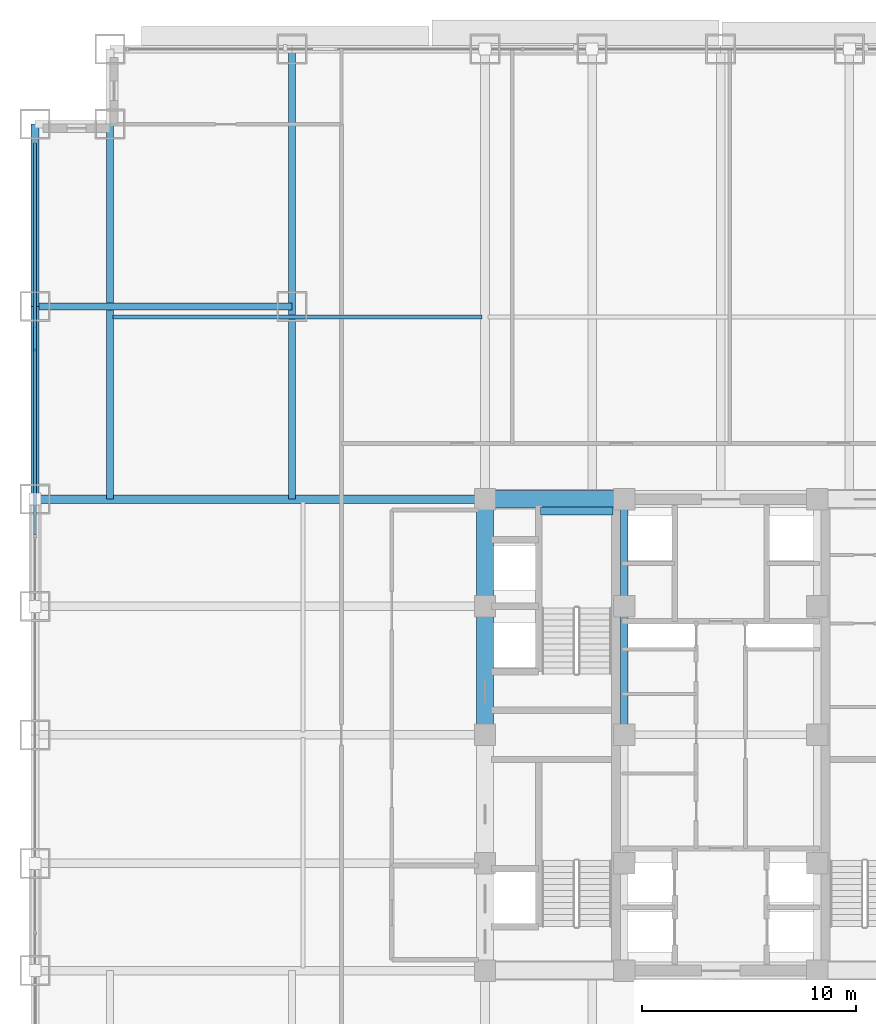
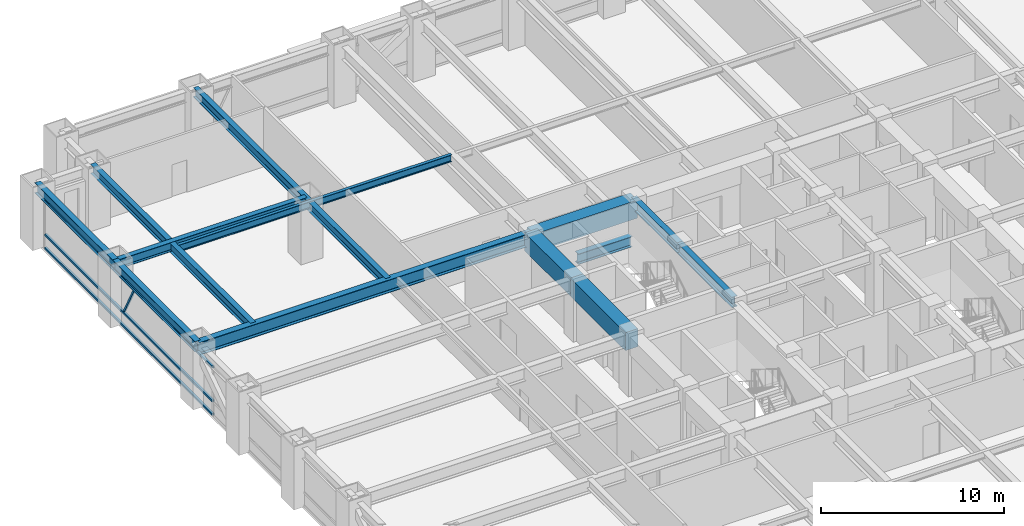
# One storey, part 13 of 31: 13 beams, 4 members, 1 element without a shape of its own.
"""IFC4 building model written with IfcOpenShell, lengths in metres."""

from ifc_helpers import new_model, si_unit, direction, frame, origin, origin_2d, place, context, subcontext, project, spatial, rectangle, hollow_rectangle, i_section, extrude, source, transform, mapped, material, material_profile, profile_set, type_object, element, aggregate, save


model = new_model("IFC4")

# Units and contexts
model_context = context("Model", 3, precision=1e-05, world=origin(), true_north=direction((0.0, 1.0)))
body_context = subcontext(model_context, "Body", "Model", "MODEL_VIEW")
ifc_project = project(units=[si_unit("LENGTHUNIT", "METRE"), si_unit("AREAUNIT", "SQUARE_METRE"), si_unit("VOLUMEUNIT", "CUBIC_METRE"), si_unit("PLANEANGLEUNIT", "RADIAN"), si_unit("MASSUNIT", "GRAM", prefix="KILO")], contexts=[model_context])

# Site, building, storey
site_placement = place(None, origin())
site = spatial("IfcSite", under=ifc_project, at=site_placement, CompositionType="ELEMENT")
building_placement = place(site_placement, origin())
building = spatial("IfcBuilding", under=site, at=building_placement, Name="Khorayat Bourse Tower", CompositionType="ELEMENT")
storey_placement = place(building_placement, frame((0.0, 0.0, 41.0)))
storey = spatial("IfcBuildingStorey", under=building, at=storey_placement, Name="L08", CompositionType="ELEMENT", Elevation=41.0)

# Beams
ifc_material_1 = material(Name="Concrete C72/90", Category="concrete")
ifc_material_profile_1 = material_profile(ifc_material_1, rectangle(XDim=0.800048828125, YDim=1.199951171875, at=origin_2d()), Name="RC 800x1200")
ifc_profile_set_1 = profile_set([ifc_material_profile_1], Name="Concrete C72/90")
beam_type_1 = type_object("IfcBeamType", Name="BM-COUP-1200", PredefinedType="BEAM", material=ifc_profile_set_1)
shared_shape_1 = source(origin(), body_context, "Body", "SweptSolid", [
    extrude(rectangle(XDim=0.800048828125, YDim=1.199951171875, at=origin_2d()), origin(), (0.0, 0.0, 1.0), 5.0),
])
beam_1_placement = place(storey_placement, frame((-11.0, 6.0, 3.340087890625), z_axis=(0.0, 1.0, 0.0), x_axis=(-1.0, 0.0, 0.0)))
element("IfcBeam", 1, at=beam_1_placement, inside=storey, type_object=beam_type_1, Name="L08 BM-COUP-1200 BM-L08-CRX-04", PredefinedType="BEAM", context=body_context, shape_type="MappedRepresentation", body=[
    mapped(shared_shape_1, transform((0.0, 0.0, 0.0), scale=1.0)),
])
shared_shape_2 = source(origin(), body_context, "Body", "SweptSolid", [
    extrude(rectangle(XDim=0.800048828125, YDim=1.199951171875, at=origin_2d()), origin(), (0.0, 0.0, 1.0), 6.0),
])
beam_2_placement = place(storey_placement, frame((-11.0, 0.0, 3.340087890625), z_axis=(0.0, 1.0, 0.0), x_axis=(-1.0, 0.0, 0.0)))
element("IfcBeam", 2, at=beam_2_placement, inside=storey, type_object=beam_type_1, Name="L08 BM-COUP-1200 BM-L08-CRX-03", PredefinedType="BEAM", context=body_context, shape_type="MappedRepresentation", body=[
    mapped(shared_shape_2, transform((0.0, 0.0, 0.0), scale=1.0)),
])
ifc_material_2 = material(Name="Steel ASTM A992 Grade 50", Category="steel")
ifc_material_profile_2 = material_profile(ifc_material_2, i_section(OverallWidth=0.35498046875, OverallDepth=0.695068359375, WebThickness=0.015380859375, FlangeThickness=0.02490234375, FilletRadius=0.01806640625, at=origin_2d()), Name="W690X217")
ifc_profile_set_2 = profile_set([ifc_material_profile_2], Name="Steel ASTM A992 Grade 50")
beam_type_2 = type_object("IfcBeamType", Name="BM-GIRD-690", PredefinedType="BEAM", material=ifc_profile_set_2)
shared_shape_3 = source(origin(), body_context, "Body", "SweptSolid", [
    extrude(i_section(OverallWidth=0.35498046875, OverallDepth=0.695068359375, WebThickness=0.015380859375, FlangeThickness=0.02490234375, FilletRadius=0.01806640625, at=origin_2d()), origin(), (0.0, 0.0, 1.0), 5.0),
])
beam_3_placement = place(storey_placement, frame((-4.5, 6.0, 3.592529296875), z_axis=(0.0, 1.0, 0.0), x_axis=(-1.0, 0.0, 0.0)))
element("IfcBeam", 3, at=beam_3_placement, inside=storey, type_object=beam_type_2, Name="L08 BM-GIRD-690 BM-L08-CRX-08", PredefinedType="BEAM", context=body_context, shape_type="MappedRepresentation", body=[
    mapped(shared_shape_3, transform((0.0, 0.0, 0.0), scale=1.0)),
])
shared_shape_4 = source(origin(), body_context, "Body", "SweptSolid", [
    extrude(i_section(OverallWidth=0.35498046875, OverallDepth=0.695068359375, WebThickness=0.015380859375, FlangeThickness=0.02490234375, FilletRadius=0.01806640625, at=origin_2d()), origin(), (0.0, 0.0, 1.0), 6.0),
])
beam_4_placement = place(storey_placement, frame((-4.5, 0.0, 3.592529296875), z_axis=(0.0, 1.0, 0.0), x_axis=(-1.0, 0.0, 0.0)))
element("IfcBeam", 4, at=beam_4_placement, inside=storey, type_object=beam_type_2, Name="L08 BM-GIRD-690 BM-L08-CRX-07", PredefinedType="BEAM", context=body_context, shape_type="MappedRepresentation", body=[
    mapped(shared_shape_4, transform((0.0, 0.0, 0.0), scale=1.0)),
])
shared_shape_5 = source(origin(), body_context, "Body", "SweptSolid", [
    extrude(rectangle(XDim=0.800048828125, YDim=1.199951171875, at=origin_2d()), origin(), (0.0, 0.0, 1.0), 6.5),
])
beam_5_placement = place(storey_placement, frame((-11.0, 11.0, 3.340087890625), z_axis=(1.0, 0.0, 0.0), x_axis=(0.0, 1.0, 0.0)))
element("IfcBeam", 5, at=beam_5_placement, inside=storey, type_object=beam_type_1, Name="L08 BM-COUP-1200 BM-L08-CRY-20", PredefinedType="BEAM", context=body_context, shape_type="MappedRepresentation", body=[
    mapped(shared_shape_5, transform((0.0, 0.0, 0.0), scale=1.0)),
])
shared_shape_6 = source(origin(), body_context, "Body", "SweptSolid", [
    extrude(i_section(OverallWidth=0.35498046875, OverallDepth=0.695068359375, WebThickness=0.015380859375, FlangeThickness=0.02490234375, FilletRadius=0.01806640625, at=origin_2d()), origin(), (0.0, 0.0, 1.0), 3.39990234375),
])
beam_6_placement = place(storey_placement, frame((-8.419921875, 10.449951171875, 1.552490234375), z_axis=(1.0, 0.0, 0.0), x_axis=(0.0, 1.0, 0.0)))
element("IfcBeam", 6, at=beam_6_placement, inside=storey, type_object=beam_type_2, Name="L08 BM-GIRD-690 BM-L08-ST2L", PredefinedType="BEAM", context=body_context, shape_type="MappedRepresentation", body=[
    mapped(shared_shape_6, transform((0.0, 0.0, 0.0), scale=1.0)),
])
ifc_material_profile_3 = material_profile(ifc_material_2, i_section(OverallWidth=0.35498046875, OverallDepth=0.695068359375, WebThickness=0.015380859375, FlangeThickness=0.02490234375, FilletRadius=0.01806640625, at=origin_2d()), Name="W690X217")
ifc_profile_set_3 = profile_set([ifc_material_profile_3], Name="Steel ASTM A992 Grade 50")
beam_type_3 = type_object("IfcBeamType", Name="BM-SPAN-690", PredefinedType="SPANDREL", material=ifc_profile_set_3)
shared_shape_7 = source(origin(), body_context, "Body", "SweptSolid", [
    extrude(i_section(OverallWidth=0.35498046875, OverallDepth=0.695068359375, WebThickness=0.015380859375, FlangeThickness=0.02490234375, FilletRadius=0.01806640625, at=origin_2d()), origin(), (0.0, 0.0, 1.0), 8.5),
])
beam_7_placement = place(storey_placement, frame((-32.0, 20.0, 3.592529296875), z_axis=(0.0, 1.0, 0.0), x_axis=(-1.0, 0.0, 0.0)))
element("IfcBeam", 7, at=beam_7_placement, inside=storey, type_object=beam_type_3, Name="L08 BM-SPAN-690 BM-L08-SPN-054", PredefinedType="SPANDREL", context=body_context, shape_type="MappedRepresentation", body=[
    mapped(shared_shape_7, transform((0.0, 0.0, 0.0), scale=1.0)),
])
shared_shape_8 = source(origin(), body_context, "Body", "SweptSolid", [
    extrude(i_section(OverallWidth=0.35498046875, OverallDepth=0.695068359375, WebThickness=0.015380859375, FlangeThickness=0.02490234375, FilletRadius=0.01806640625, at=origin_2d()), origin(), (0.0, 0.0, 1.0), 9.0),
])
beam_8_placement = place(storey_placement, frame((-32.0, 11.0, 3.592529296875), z_axis=(0.0, 1.0, 0.0), x_axis=(-1.0, 0.0, 0.0)))
element("IfcBeam", 8, at=beam_8_placement, inside=storey, type_object=beam_type_3, Name="L08 BM-SPAN-690 BM-L08-SPN-055", PredefinedType="SPANDREL", context=body_context, shape_type="MappedRepresentation", body=[
    mapped(shared_shape_8, transform((0.0, 0.0, 0.0), scale=1.0)),
])
ifc_material_profile_4 = material_profile(ifc_material_2, i_section(OverallWidth=0.39990234375, OverallDepth=0.85498046875, WebThickness=0.018310546875, FlangeThickness=0.029296875, FilletRadius=0.02001953125, at=origin_2d()), Name="W840X299")
ifc_profile_set_4 = profile_set([ifc_material_profile_4], Name="Steel ASTM A992 Grade 50")
beam_type_4 = type_object("IfcBeamType", Name="BM-GIRD-840", PredefinedType="BEAM", material=ifc_profile_set_4)
shared_shape_9 = source(origin(), body_context, "Body", "SweptSolid", [
    extrude(i_section(OverallWidth=0.39990234375, OverallDepth=0.85498046875, WebThickness=0.018310546875, FlangeThickness=0.029296875, FilletRadius=0.02001953125, at=origin_2d()), origin(), (0.0, 0.0, 1.0), 21.0),
])
beam_9_placement = place(storey_placement, frame((-32.0, 11.0, 3.512451171875), z_axis=(1.0, 0.0, 0.0), x_axis=(0.0, 1.0, 0.0)))
element("IfcBeam", 9, at=beam_9_placement, inside=storey, type_object=beam_type_4, Name="L08 BM-GIRD-840 BM-L08-RADX-083", PredefinedType="BEAM", context=body_context, shape_type="MappedRepresentation", body=[
    mapped(shared_shape_9, transform((0.0, 0.0, 0.0), scale=1.0)),
])
ifc_material_profile_5 = material_profile(ifc_material_2, i_section(OverallWidth=0.324951171875, OverallDepth=0.615966796875, WebThickness=0.013916015625, FlangeThickness=0.021484375, FilletRadius=0.01611328125, at=origin_2d()), Name="W610X174")
ifc_profile_set_5 = profile_set([ifc_material_profile_5], Name="Steel ASTM A992 Grade 50")
beam_type_5 = type_object("IfcBeamType", Name="BM-GIRD-610", PredefinedType="BEAM", material=ifc_profile_set_5)
shared_shape_10 = source(origin(), body_context, "Body", "SweptSolid", [
    extrude(i_section(OverallWidth=0.324951171875, OverallDepth=0.615966796875, WebThickness=0.013916015625, FlangeThickness=0.021484375, FilletRadius=0.01611328125, at=origin_2d()), origin(), (0.0, 0.0, 1.0), 21.0),
])
beam_10_placement = place(storey_placement, frame((-20.0, 11.0, 3.632080078125), z_axis=(0.0, 1.0, 0.0), x_axis=(-1.0, 0.0, 0.0)))
element("IfcBeam", 10, at=beam_10_placement, inside=storey, type_object=beam_type_5, Name="L08 BM-GIRD-610 BM-L08-CNRY-085", PredefinedType="BEAM", context=body_context, shape_type="MappedRepresentation", body=[
    mapped(shared_shape_10, transform((0.0, 0.0, 0.0), scale=1.0)),
])
shared_shape_11 = source(origin(), body_context, "Body", "SweptSolid", [
    extrude(i_section(OverallWidth=0.324951171875, OverallDepth=0.615966796875, WebThickness=0.013916015625, FlangeThickness=0.021484375, FilletRadius=0.01611328125, at=origin_2d()), origin(), (0.0, 0.0, 1.0), 17.5),
])
beam_11_placement = place(storey_placement, frame((-28.5, 11.0, 3.632080078125), z_axis=(0.0, 1.0, 0.0), x_axis=(-1.0, 0.0, 0.0)))
element("IfcBeam", 11, at=beam_11_placement, inside=storey, type_object=beam_type_5, Name="L08 BM-GIRD-610 BM-L08-CNRY-089", PredefinedType="BEAM", context=body_context, shape_type="MappedRepresentation", body=[
    mapped(shared_shape_11, transform((0.0, 0.0, 0.0), scale=1.0)),
])
shared_shape_12 = source(origin(), body_context, "Body", "SweptSolid", [
    extrude(i_section(OverallWidth=0.324951171875, OverallDepth=0.615966796875, WebThickness=0.013916015625, FlangeThickness=0.021484375, FilletRadius=0.01611328125, at=origin_2d()), origin(), (0.0, 0.0, 1.0), 12.0),
])
beam_12_placement = place(storey_placement, frame((-32.0, 20.0, 3.632080078125), z_axis=(1.0, 0.0, 0.0), x_axis=(0.0, 1.0, 0.0)))
element("IfcBeam", 12, at=beam_12_placement, inside=storey, type_object=beam_type_5, Name="L08 BM-GIRD-610 BM-L08-CNRX-095", PredefinedType="BEAM", context=body_context, shape_type="MappedRepresentation", body=[
    mapped(shared_shape_12, transform((0.0, 0.0, 0.0), scale=1.0)),
])
ifc_material_profile_6 = material_profile(ifc_material_2, i_section(OverallWidth=0.194091796875, OverallDepth=0.468994140625, WebThickness=0.0126953125, FlangeThickness=0.0205078125, FilletRadius=0.012939453125, at=origin_2d()), Name="W460X106")
ifc_profile_set_6 = profile_set([ifc_material_profile_6], Name="Steel ASTM A992 Grade 50")
beam_type_6 = type_object("IfcBeamType", Name="BM-JOIST-460", PredefinedType="JOIST", material=ifc_profile_set_6)
shared_shape_13 = source(origin(), body_context, "Body", "SweptSolid", [
    extrude(i_section(OverallWidth=0.194091796875, OverallDepth=0.468994140625, WebThickness=0.0126953125, FlangeThickness=0.0205078125, FilletRadius=0.012939453125, at=origin_2d()), origin(), (0.0, 0.0, 1.0), 17.240234375),
])
beam_13_placement = place(storey_placement, frame((-28.3701171875, 19.5, 3.70556640625), z_axis=(1.0, 0.0, 0.0), x_axis=(0.0, 1.0, 0.0)))
element("IfcBeam", 13, at=beam_13_placement, inside=storey, type_object=beam_type_6, Name="L08 BM-JOIST-460 BM-L08-JSTX-099", PredefinedType="JOIST", context=body_context, shape_type="MappedRepresentation", body=[
    mapped(shared_shape_13, transform((0.0, 0.0, 0.0), scale=1.0)),
])

# Curtain wall, members
ifc_material_3 = material(Name="Aluminium EN AW-6063 T6", Category="aluminium")
curtain_wall_type = type_object("IfcCurtainWallType", Name="CW-SYS-02", PredefinedType="NOTDEFINED", material=ifc_material_3)
curtain_wall_placement = place(storey_placement, origin())
curtain_wall = element("IfcCurtainWall", 14, at=curtain_wall_placement, inside=storey, type_object=curtain_wall_type, Name="L08 Curtain Wall CW-L08-W1", PredefinedType="NOTDEFINED")
ifc_material_profile_7 = material_profile(ifc_material_3, hollow_rectangle(XDim=0.139892578125, YDim=0.139892578125, WallThickness=0.006103515625, at=origin_2d()), Name="ALU 140x140x6")
ifc_profile_set_7 = profile_set([ifc_material_profile_7], Name="Aluminium EN AW-6063 T6")
member_type_1 = type_object("IfcMemberType", Name="CWT-HORZ-140", PredefinedType="USERDEFINED", material=ifc_profile_set_7)
shared_shape_14 = source(origin(), body_context, "Body", "SweptSolid", [
    extrude(hollow_rectangle(XDim=0.139892578125, YDim=0.139892578125, WallThickness=0.006103515625, at=origin_2d()), origin(), (0.0, 0.0, 1.0), 18.2900390625),
])
member_1_placement = place(storey_placement, frame((-32.0, 9.320068359375, 0.070068359375), z_axis=(0.0, 1.0, 0.0), x_axis=(-1.0, 0.0, 0.0)))
member_1 = element("IfcMember", 15, at=member_1_placement, type_object=member_type_1, Name="CW-L08-W1 Horizontal Transom 3-1", ObjectType="TRANSOM", PredefinedType="USERDEFINED", context=body_context, shape_type="MappedRepresentation", body=[
    mapped(shared_shape_14, transform((0.0, 0.0, 0.0), scale=1.0)),
])
member_2_placement = place(storey_placement, frame((-32.0, 9.320068359375, 0.949951171875), z_axis=(0.0, 1.0, 0.0), x_axis=(-1.0, 0.0, 0.0)))
member_2 = element("IfcMember", 16, at=member_2_placement, type_object=member_type_1, Name="CW-L08-W1 Horizontal Transom 3-2", ObjectType="TRANSOM", PredefinedType="USERDEFINED", context=body_context, shape_type="MappedRepresentation", body=[
    mapped(shared_shape_14, transform((0.0, 0.0, 0.0), scale=1.0)),
])
member_3_placement = place(storey_placement, frame((-32.0, 9.320068359375, 3.219970703125), z_axis=(0.0, 1.0, 0.0), x_axis=(-1.0, 0.0, 0.0)))
member_3 = element("IfcMember", 17, at=member_3_placement, type_object=member_type_1, Name="CW-L08-W1 Horizontal Transom 3-3", ObjectType="TRANSOM", PredefinedType="USERDEFINED", context=body_context, shape_type="MappedRepresentation", body=[
    mapped(shared_shape_14, transform((0.0, 0.0, 0.0), scale=1.0)),
])
ifc_material_profile_8 = material_profile(ifc_material_3, hollow_rectangle(XDim=0.1201171875, YDim=0.1201171875, WallThickness=0.0048828125, at=origin_2d()), Name="ALU 120x120x5")
ifc_profile_set_8 = profile_set([ifc_material_profile_8], Name="Aluminium EN AW-6063 T6")
member_type_2 = type_object("IfcMemberType", Name="CWM-DIAG-120", PredefinedType="MULLION", material=ifc_profile_set_8)
shared_shape_15 = source(origin(), body_context, "Body", "SweptSolid", [
    extrude(hollow_rectangle(XDim=0.1201171875, YDim=0.1201171875, WallThickness=0.0048828125, at=origin_2d()), origin(), (0.0, 0.0, 1.0), 2.22607421875),
])
member_4_placement = place(storey_placement, frame((-32.0, 18.9833984375, 1.10009765625), z_axis=(0.0, -0.465759992596, 0.884911085532), x_axis=(1.0, 0.0, 0.0)))
member_4 = element("IfcMember", 18, at=member_4_placement, type_object=member_type_2, Name="CW-L08-W1 Faceted Diagonal Mullion 3", PredefinedType="MULLION", context=body_context, shape_type="MappedRepresentation", body=[
    mapped(shared_shape_15, transform((0.0, 0.0, 0.0), scale=1.0)),
])
aggregate(curtain_wall, [member_1, member_2, member_3, member_4])

save(model, "model.ifc")
